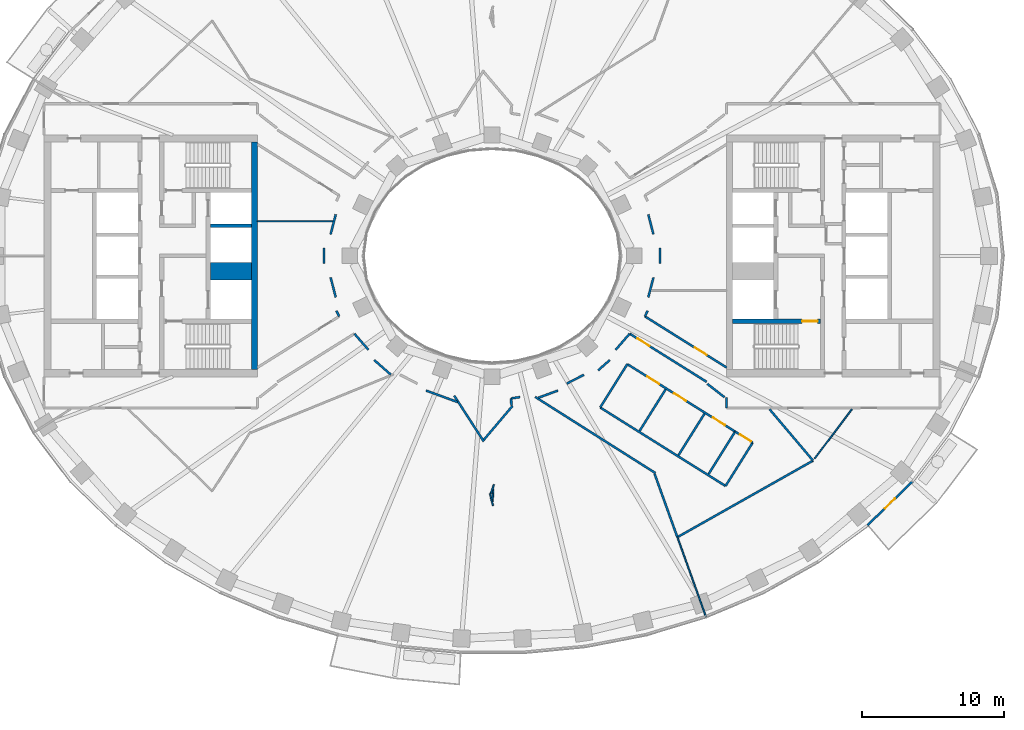
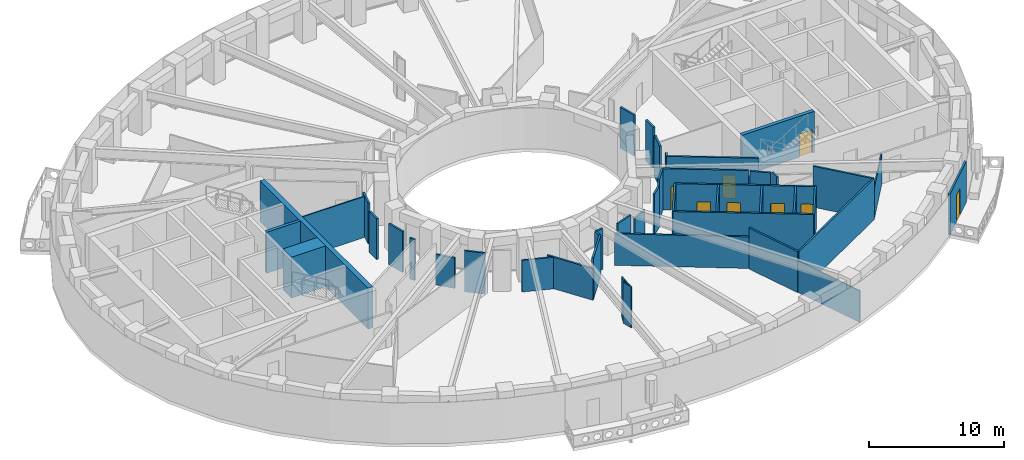
# One storey, part 4 of 16: 46 walls, 8 doors, 8 openings.
"""IFC4 building model written with IfcOpenShell, lengths in metres."""

from ifc_helpers import new_model, si_unit, direction, frame, frame_2d, origin, place, context, subcontext, project, spatial, rectangle, extrude, material, layer, layer_set, type_object, element, fill, save


model = new_model("IFC4")

# Units and contexts
model_context = context("Model", 3, precision=1e-05, world=origin(), true_north=direction((0.0, 1.0)))
body_context = subcontext(model_context, "Body", "Model", "MODEL_VIEW")
ifc_project = project(units=[si_unit("LENGTHUNIT", "METRE"), si_unit("AREAUNIT", "SQUARE_METRE"), si_unit("VOLUMEUNIT", "CUBIC_METRE"), si_unit("PLANEANGLEUNIT", "RADIAN"), si_unit("MASSUNIT", "GRAM", prefix="KILO")], contexts=[model_context])

# Site, building, storey
site_placement = place(None, origin())
site = spatial("IfcSite", under=ifc_project, at=site_placement, CompositionType="ELEMENT")
building_placement = place(site_placement, origin())
building = spatial("IfcBuilding", under=site, at=building_placement, Name="Noorbagh Ring Tower", CompositionType="ELEMENT")
storey_placement = place(building_placement, frame((0.0, 0.0, 166.0)))
storey = spatial("IfcBuildingStorey", under=building, at=storey_placement, Name="L38", CompositionType="ELEMENT", Elevation=166.0)

# Walls
ifc_material_1 = material(Name="Gypsum board on steel studs", Category="steel")
ifc_layer_1 = layer(ifc_material_1, 0.14990234375)
ifc_layer_set_1 = layer_set([ifc_layer_1], Name="Gypsum board on steel studs")
wall_type_1 = type_object("IfcWallType", Name="COMPARTMENT PARTITION 150 EI 60", PredefinedType="PARTITIONING", material=ifc_layer_set_1)
wall_1_placement = place(storey_placement, frame((15.22607421875, -15.341064453125, 0.0), z_axis=(0.0, 0.0, 1.0), x_axis=(0.530602850446, 0.847620560805, 0.0)))
element("IfcWall", 1, at=wall_1_placement, inside=storey, type_object=wall_type_1, Name="L38/wall/P77", PredefinedType="PARTITIONING", context=body_context, shape_type="SweptSolid", body=[
    extrude(rectangle(XDim=3.524169921875, YDim=0.14990234375, at=frame_2d((1.76220703125, 0.0))), origin(), (0.0, 0.0, 1.0), 3.699951171875),
])
wall_2_placement = place(storey_placement, frame((16.422119140625, -16.175048828125, 0.0), z_axis=(0.0, 0.0, 1.0), x_axis=(0.530578570881, 0.84763575911, 0.0)))
element("IfcWall", 2, at=wall_2_placement, inside=storey, type_object=wall_type_1, Name="L38/wall/P78", PredefinedType="PARTITIONING", context=body_context, shape_type="SweptSolid", body=[
    extrude(rectangle(XDim=3.595947265625, YDim=0.14990234375, at=frame_2d((1.7978515625, 0.0))), origin(), (0.0, 0.0, 1.0), 3.699951171875),
])

# Wall, opening, door
wall_3_placement = place(storey_placement, frame((17.095947265625, -12.35400390625, 0.0), z_axis=(0.0, 0.0, 1.0), x_axis=(0.847498728789, -0.530797423412, 0.0)))
wall_3 = element("IfcWall", 3, at=wall_3_placement, inside=storey, type_object=wall_type_1, Name="L38/wall/P83", PredefinedType="PARTITIONING", context=body_context, shape_type="SweptSolid", body=[
    extrude(rectangle(XDim=1.456298828125, YDim=0.14990234375, at=frame_2d((0.72802734375, 0.0))), origin(), (0.0, 0.0, 1.0), 3.699951171875),
])
opening_1_placement = place(wall_3_placement, frame((0.39990234375, 0.0, 0.0)))
opening_1 = element("IfcOpeningElement", 4, at=opening_1_placement, cuts=wall_3, Name="Opening D4", PredefinedType="OPENING", context=body_context, shape_type="SweptSolid", body=[
    extrude(rectangle(XDim=0.89990234375, YDim=2.10009765625, at=frame_2d((0.449951171875, 1.050048828125))), frame((0.0, 0.0849609375, 0.0), z_axis=(0.0, -1.0, 0.0), x_axis=(1.0, 0.0, 0.0)), (0.0, 0.0, 1.0), 0.169921875),
])
ifc_material_2 = material(Name="Timber, painted", Category="wood")
door_type_1 = type_object("IfcDoorType", Name="DOOR 900 X 2100 FD60", OperationType="SINGLE_SWING_LEFT", PredefinedType="DOOR", material=ifc_material_2)
door_1_placement = place(opening_1_placement, origin())
door_1 = element("IfcDoor", 5, at=door_1_placement, inside=storey, type_object=door_type_1, Name="L38-D05", OperationType="SINGLE_SWING_LEFT", OverallHeight=2.10009765625, OverallWidth=0.89990234375, PredefinedType="DOOR", context=body_context, shape_type="SweptSolid", body=[
    extrude(rectangle(XDim=0.89990234375, YDim=2.10009765625, at=frame_2d((0.449951171875, 1.050048828125))), frame((0.0, 0.02490234375, 0.0), z_axis=(0.0, -1.0, 0.0), x_axis=(1.0, 0.0, 0.0)), (0.0, 0.0, 1.0), 0.050048828125),
])
fill(opening_1, door_1)

# Walls
ifc_material_3 = material(Name="Concrete C60/75", Category="concrete")
ifc_layer_2 = layer(ifc_material_3, 1.25)
ifc_layer_set_2 = layer_set([ifc_layer_2], Name="Concrete C60/75")
wall_type_2 = type_object("IfcWallType", Name="CORE-WALL-1250-C60-75-EI120", PredefinedType="SHEAR", material=ifc_layer_set_2)
wall_4_placement = place(storey_placement, frame((-16.89990234375, -1.074951171875, 0.0), z_axis=(0.0, 0.0, 1.0), x_axis=(-1.0, 0.0, 0.0)))
element("IfcWall", 6, at=wall_4_placement, inside=storey, type_object=wall_type_2, Name="Core wall W", PredefinedType="SHEAR", context=body_context, shape_type="SweptSolid", body=[
    extrude(rectangle(XDim=2.900146484375, YDim=1.25, at=frame_2d((1.4501953125, 0.0))), origin(), (0.0, 0.0, 1.0), 3.699951171875),
])
ifc_material_4 = material(Name="Concrete C60/75", Category="concrete")
ifc_layer_3 = layer(ifc_material_4, 0.25)
ifc_layer_set_3 = layer_set([ifc_layer_3], Name="Concrete C60/75")
wall_type_3 = type_object("IfcWallType", Name="CORE-WALL-250-C60-75-EI120", PredefinedType="SHEAR", material=ifc_layer_set_3)
wall_5_placement = place(storey_placement, frame((-16.89990234375, 2.125, 0.0), z_axis=(0.0, 0.0, 1.0), x_axis=(-1.0, 0.0, 0.0)))
element("IfcWall", 7, at=wall_5_placement, inside=storey, type_object=wall_type_3, Name="Core wall W", PredefinedType="SHEAR", context=body_context, shape_type="SweptSolid", body=[
    extrude(rectangle(XDim=2.900146484375, YDim=0.25, at=frame_2d((1.4501953125, 0.0))), origin(), (0.0, 0.0, 1.0), 3.699951171875),
])

# Wall, opening, door
ifc_material_5 = material(Name="Concrete C60/75", Category="concrete")
ifc_layer_4 = layer(ifc_material_5, 0.300048828125)
ifc_layer_set_4 = layer_set([ifc_layer_4], Name="Concrete C60/75")
wall_type_4 = type_object("IfcWallType", Name="CORE-WALL-300-C60-75-EI240", PredefinedType="SHEAR", material=ifc_layer_set_4)
wall_6_placement = place(storey_placement, frame((16.89990234375, -4.60009765625, 0.0), z_axis=(0.0, 0.0, 1.0), x_axis=(1.0, 0.0, 0.0)))
wall_6 = element("IfcWall", 8, at=wall_6_placement, inside=storey, type_object=wall_type_4, Name="Core wall E", PredefinedType="SHEAR", context=body_context, shape_type="SweptSolid", body=[
    extrude(rectangle(XDim=6.18017578125, YDim=0.300048828125, at=frame_2d((3.090087890625, 0.0))), origin(), (0.0, 0.0, 1.0), 3.699951171875),
])
opening_2_placement = place(wall_6_placement, frame((4.89990234375, 0.0, 0.0)))
opening_2 = element("IfcOpeningElement", 9, at=opening_2_placement, cuts=wall_6, Name="Opening L38-CE08", PredefinedType="OPENING", context=body_context, shape_type="SweptSolid", body=[
    extrude(rectangle(XDim=1.10009765625, YDim=2.10009765625, at=frame_2d((0.550048828125, 1.050048828125))), frame((0.0, 0.16015625, 0.0), z_axis=(0.0, -1.0, 0.0), x_axis=(1.0, 0.0, 0.0)), (0.0, 0.0, 1.0), 0.320068359375),
])
ifc_material_6 = material(Name="Steel door leaf", Category="steel")
door_type_2 = type_object("IfcDoorType", Name="CORE-DOOR-DSTAIR", OperationType="SINGLE_SWING_LEFT", PredefinedType="DOOR", material=ifc_material_6)
door_2_placement = place(opening_2_placement, origin())
door_2 = element("IfcDoor", 10, at=door_2_placement, inside=storey, type_object=door_type_2, Name="Stair door ST4 L38-CE08", OperationType="SINGLE_SWING_RIGHT", OverallHeight=2.10009765625, OverallWidth=1.10009765625, PredefinedType="DOOR", context=body_context, shape_type="SweptSolid", body=[
    extrude(rectangle(XDim=1.10009765625, YDim=2.10009765625, at=frame_2d((0.550048828125, 1.050048828125))), frame((0.0, 0.02490234375, 0.0), z_axis=(0.0, -1.0, 0.0), x_axis=(1.0, 0.0, 0.0)), (0.0, 0.0, 1.0), 0.050048828125),
])
fill(opening_2, door_2)

# Walls
ifc_material_7 = material(Name="Concrete C60/75", Category="concrete")
ifc_layer_5 = layer(ifc_material_7, 0.39990234375)
ifc_layer_set_5 = layer_set([ifc_layer_5], Name="Concrete C60/75")
wall_type_5 = type_object("IfcWallType", Name="CORE-WALL-400-C60-75-EI240", PredefinedType="SHEAR", material=ifc_layer_set_5)
wall_7_placement = place(storey_placement, frame((-16.699951171875, -8.0, 0.0), z_axis=(0.0, 0.0, 1.0), x_axis=(0.0, 1.0, 0.0)))
element("IfcWall", 11, at=wall_7_placement, inside=storey, type_object=wall_type_5, Name="Core wall W", PredefinedType="SHEAR", context=body_context, shape_type="SweptSolid", body=[
    extrude(rectangle(XDim=16.0, YDim=0.39990234375, at=frame_2d((8.0, 0.0))), origin(), (0.0, 0.0, 1.0), 3.699951171875),
])
ifc_material_8 = material(Name="Gypsum board on steel studs", Category="steel")
ifc_layer_6 = layer(ifc_material_8, 0.14990234375)
ifc_layer_set_6 = layer_set([ifc_layer_6], Name="Gypsum board on steel studs")
wall_type_6 = type_object("IfcWallType", Name="CORRIDOR PARTITION 150 EI 30", PredefinedType="PARTITIONING", material=ifc_layer_set_6)
wall_8_placement = place(storey_placement, frame((-11.80810546875, -0.550048828125, 0.0), z_axis=(0.0, 0.0, 1.0), x_axis=(0.0, 1.0, 0.0)))
element("IfcWall", 12, at=wall_8_placement, inside=storey, type_object=wall_type_6, Name="L38/wall/P21", PredefinedType="PARTITIONING", context=body_context, shape_type="SweptSolid", body=[
    extrude(rectangle(XDim=1.10009765625, YDim=0.14990234375, at=frame_2d((0.550048828125, 0.0))), origin(), (0.0, 0.0, 1.0), 3.699951171875),
])
wall_9_placement = place(storey_placement, frame((-11.35107421875, 1.51611328125, 0.0), z_axis=(0.0, 0.0, 1.0), x_axis=(0.252153395539, 0.967687276509, 0.0)))
element("IfcWall", 13, at=wall_9_placement, inside=storey, type_object=wall_type_6, Name="L38/wall/P22", PredefinedType="PARTITIONING", context=body_context, shape_type="SweptSolid", body=[
    extrude(rectangle(XDim=1.443603515625, YDim=0.14990234375, at=frame_2d((0.7216796875, 0.0))), origin(), (0.0, 0.0, 1.0), 3.699951171875),
])
wall_10_placement = place(storey_placement, frame((-11.34912109375, -1.51806640625, 0.0), z_axis=(0.0, 0.0, 1.0), x_axis=(0.251214938505, -0.967931327457, 0.0)))
element("IfcWall", 14, at=wall_10_placement, inside=storey, type_object=wall_type_6, Name="L38/wall/P23", PredefinedType="PARTITIONING", context=body_context, shape_type="SweptSolid", body=[
    extrude(rectangle(XDim=1.441162109375, YDim=0.14990234375, at=frame_2d((0.720703125, 0.0))), origin(), (0.0, 0.0, 1.0), 3.699951171875),
])
wall_11_placement = place(storey_placement, frame((-10.93798828125, -3.863037109375, 0.0), z_axis=(0.0, 0.0, 1.0), x_axis=(0.429758433873, -0.90294390109, 0.0)))
element("IfcWall", 15, at=wall_11_placement, inside=storey, type_object=wall_type_6, Name="L38/wall/P24", PredefinedType="PARTITIONING", context=body_context, shape_type="SweptSolid", body=[
    extrude(rectangle(XDim=0.432861328125, YDim=0.14990234375, at=frame_2d((0.21630859375, 0.0))), origin(), (0.0, 0.0, 1.0), 3.699951171875),
])
wall_12_placement = place(storey_placement, frame((-9.678955078125, -5.468994140625, 0.0), z_axis=(0.0, 0.0, 1.0), x_axis=(0.656454677423, -0.75436546613, 0.0)))
element("IfcWall", 16, at=wall_12_placement, inside=storey, type_object=wall_type_6, Name="L38/wall/P26", PredefinedType="PARTITIONING", context=body_context, shape_type="SweptSolid", body=[
    extrude(rectangle(XDim=1.510986328125, YDim=0.14990234375, at=frame_2d((0.75537109375, 0.0))), origin(), (0.0, 0.0, 1.0), 2.75),
])
wall_13_placement = place(storey_placement, frame((-8.283935546875, -7.322021484375, 0.0), z_axis=(0.0, 0.0, 1.0), x_axis=(0.750666784408, -0.660680996235, 0.0)))
element("IfcWall", 17, at=wall_13_placement, inside=storey, type_object=wall_type_6, Name="L38/wall/P28", PredefinedType="PARTITIONING", context=body_context, shape_type="SweptSolid", body=[
    extrude(rectangle(XDim=1.5546875, YDim=0.14990234375, at=frame_2d((0.77734375, 0.0))), origin(), (0.0, 0.0, 1.0), 3.699951171875),
])
wall_14_placement = place(storey_placement, frame((-4.635986328125, -9.468017578125, 0.0), z_axis=(0.0, 0.0, 1.0), x_axis=(0.939059239116, -0.343755356949, 0.0)))
element("IfcWall", 18, at=wall_14_placement, inside=storey, type_object=wall_type_6, Name="L38/wall/P32", PredefinedType="PARTITIONING", context=body_context, shape_type="SweptSolid", body=[
    extrude(rectangle(XDim=2.3564453125, YDim=0.14990234375, at=frame_2d((1.17822265625, 0.0))), origin(), (0.0, 0.0, 1.0), 2.85009765625),
])
wall_15_placement = place(storey_placement, frame((-2.659912109375, -9.826904296875, 0.0), z_axis=(0.0, 0.0, 1.0), x_axis=(0.54249361556, -0.840059924694, 0.0)))
element("IfcWall", 19, at=wall_15_placement, inside=storey, type_object=wall_type_6, Name="L38/wall/P34", PredefinedType="PARTITIONING", context=body_context, shape_type="SweptSolid", body=[
    extrude(rectangle(XDim=3.835693359375, YDim=0.14990234375, at=frame_2d((1.91796875, 0.0))), origin(), (0.0, 0.0, 1.0), 2.85009765625),
])
wall_16_placement = place(storey_placement, frame((-0.571044921875, -12.923095703125, 0.0), z_axis=(0.0, 0.0, 1.0), x_axis=(0.646508532989, 0.762906754966, 0.0)))
element("IfcWall", 20, at=wall_16_placement, inside=storey, type_object=wall_type_6, Name="L38/wall/P36", PredefinedType="PARTITIONING", context=body_context, shape_type="SweptSolid", body=[
    extrude(rectangle(XDim=3.110595703125, YDim=0.14990234375, at=frame_2d((1.55517578125, 0.0))), origin(), (0.0, 0.0, 1.0), 3.699951171875),
])
wall_17_placement = place(storey_placement, frame((1.340087890625, -10.02197265625, 0.0), z_axis=(0.0, 0.0, 1.0), x_axis=(0.047890193459, -0.998852606429, 0.0)))
element("IfcWall", 21, at=wall_17_placement, inside=storey, type_object=wall_type_6, Name="L38/wall/P44", PredefinedType="PARTITIONING", context=body_context, shape_type="SweptSolid", body=[
    extrude(rectangle(XDim=0.49951171875, YDim=0.14990234375, at=frame_2d((0.249755859375, 0.0))), origin(), (0.0, 0.0, 1.0), 3.699951171875),
])
wall_18_placement = place(storey_placement, frame((1.340087890625, -10.02197265625, 0.0), z_axis=(0.0, 0.0, 1.0), x_axis=(0.988526694698, 0.151046264003, 0.0)))
element("IfcWall", 22, at=wall_18_placement, inside=storey, type_object=wall_type_6, Name="L38/wall/P45", PredefinedType="PARTITIONING", context=body_context, shape_type="SweptSolid", body=[
    extrude(rectangle(XDim=0.63525390625, YDim=0.14990234375, at=frame_2d((0.317626953125, 0.0))), origin(), (0.0, 0.0, 1.0), 3.699951171875),
])
wall_19_placement = place(storey_placement, frame((3.035888671875, -9.9150390625, 0.0), z_axis=(0.0, 0.0, 1.0), x_axis=(0.844814664865, -0.535059045367, 0.0)))
element("IfcWall", 23, at=wall_19_placement, inside=storey, type_object=wall_type_6, Name="L38/wall/P48", PredefinedType="PARTITIONING", context=body_context, shape_type="SweptSolid", body=[
    extrude(rectangle(XDim=10.00830078125, YDim=0.14990234375, at=frame_2d((5.004150390625, 0.0))), origin(), (0.0, 0.0, 1.0), 2.85009765625),
])
wall_20_placement = place(storey_placement, frame((3.2451171875, -9.97705078125, 0.0), z_axis=(0.0, 0.0, 1.0), x_axis=(0.939083928338, 0.343687904263, 0.0)))
element("IfcWall", 24, at=wall_20_placement, inside=storey, type_object=wall_type_6, Name="L38/wall/P50", PredefinedType="PARTITIONING", context=body_context, shape_type="SweptSolid", body=[
    extrude(rectangle(XDim=1.481201171875, YDim=0.14990234375, at=frame_2d((0.74072265625, 0.0))), origin(), (0.0, 0.0, 1.0), 3.699951171875),
])
wall_21_placement = place(storey_placement, frame((5.260986328125, -8.97509765625, 0.0), z_axis=(0.0, 0.0, 1.0), x_axis=(0.889472002788, 0.456989667559, 0.0)))
element("IfcWall", 25, at=wall_21_placement, inside=storey, type_object=wall_type_6, Name="L38/wall/P52", PredefinedType="PARTITIONING", context=body_context, shape_type="SweptSolid", body=[
    extrude(rectangle(XDim=1.354736328125, YDim=0.14990234375, at=frame_2d((0.67724609375, 0.0))), origin(), (0.0, 0.0, 1.0), 2.85009765625),
])
wall_22_placement = place(storey_placement, frame((7.4580078125, -8.049072265625, 0.0), z_axis=(0.0, 0.0, 1.0), x_axis=(0.75060787095, 0.660747927782, 0.0)))
element("IfcWall", 26, at=wall_22_placement, inside=storey, type_object=wall_type_6, Name="L38/wall/P54", PredefinedType="PARTITIONING", context=body_context, shape_type="SweptSolid", body=[
    extrude(rectangle(XDim=1.100341796875, YDim=0.14990234375, at=frame_2d((0.55029296875, 0.0))), origin(), (0.0, 0.0, 1.0), 3.699951171875),
])
wall_23_placement = place(storey_placement, frame((7.60498046875, -10.658935546875, 0.0), z_axis=(0.0, 0.0, 1.0), x_axis=(0.530602380468, 0.847620855006, 0.0)))
element("IfcWall", 27, at=wall_23_placement, inside=storey, type_object=wall_type_6, Name="L38/wall/P56", PredefinedType="PARTITIONING", context=body_context, shape_type="SweptSolid", body=[
    extrude(rectangle(XDim=3.599609375, YDim=0.14990234375, at=frame_2d((1.7998046875, 0.0))), origin(), (0.0, 0.0, 1.0), 3.699951171875),
])
wall_24_placement = place(storey_placement, frame((7.60791015625, -10.660888671875, 0.0), z_axis=(0.0, 0.0, 1.0), x_axis=(0.847562482532, -0.530695617284, 0.0)))
element("IfcWall", 28, at=wall_24_placement, inside=storey, type_object=wall_type_6, Name="L38/wall/P57", PredefinedType="PARTITIONING", context=body_context, shape_type="SweptSolid", body=[
    extrude(rectangle(XDim=10.392333984375, YDim=0.14990234375, at=frame_2d((5.1962890625, 0.0))), origin(), (0.0, 0.0, 1.0), 3.699951171875),
])
wall_25_placement = place(storey_placement, frame((8.68701171875, -6.60888671875, 0.0), z_axis=(0.0, 0.0, 1.0), x_axis=(0.656454677423, 0.75436546613, 0.0)))
element("IfcWall", 29, at=wall_25_placement, inside=storey, type_object=wall_type_6, Name="L38/wall/P58", PredefinedType="PARTITIONING", context=body_context, shape_type="SweptSolid", body=[
    extrude(rectangle(XDim=1.510986328125, YDim=0.14990234375, at=frame_2d((0.75537109375, 0.0))), origin(), (0.0, 0.0, 1.0), 3.699951171875),
])

# Wall, openings, doors
wall_26_placement = place(storey_placement, frame((9.513916015625, -7.610107421875, 0.0), z_axis=(0.0, 0.0, 1.0), x_axis=(0.847740567707, -0.530411095155, 0.0)))
wall_26 = element("IfcWall", 30, at=wall_26_placement, inside=storey, type_object=wall_type_6, Name="L38/wall/P60", PredefinedType="PARTITIONING", context=body_context, shape_type="SweptSolid", body=[
    extrude(rectangle(XDim=8.94384765625, YDim=0.14990234375, at=frame_2d((4.471923828125, 0.0))), origin(), (0.0, 0.0, 1.0), 3.699951171875),
])
opening_3_placement = place(wall_26_placement, frame((1.64990234375, 0.0, 0.0)))
opening_3 = element("IfcOpeningElement", 31, at=opening_3_placement, cuts=wall_26, Name="Opening D3", PredefinedType="OPENING", context=body_context, shape_type="SweptSolid", body=[
    extrude(rectangle(XDim=1.0, YDim=2.10009765625, at=frame_2d((0.5, 1.050048828125))), frame((0.0, 0.0849609375, 0.0), z_axis=(0.0, -1.0, 0.0), x_axis=(1.0, 0.0, 0.0)), (0.0, 0.0, 1.0), 0.169921875),
])
opening_4_placement = place(wall_26_placement, frame((3.874267578125, 0.0, 0.0)))
opening_4 = element("IfcOpeningElement", 32, at=opening_4_placement, cuts=wall_26, Name="Opening D3", PredefinedType="OPENING", context=body_context, shape_type="SweptSolid", body=[
    extrude(rectangle(XDim=1.0, YDim=2.10009765625, at=frame_2d((0.5, 1.050048828125))), frame((0.0, 0.0849609375, 0.0), z_axis=(0.0, -1.0, 0.0), x_axis=(1.0, 0.0, 0.0)), (0.0, 0.0, 1.0), 0.169921875),
])
opening_5_placement = place(wall_26_placement, frame((7.097900390625, 0.0, 0.0)))
opening_5 = element("IfcOpeningElement", 33, at=opening_5_placement, cuts=wall_26, Name="Opening D3", PredefinedType="OPENING", context=body_context, shape_type="SweptSolid", body=[
    extrude(rectangle(XDim=1.0, YDim=2.10009765625, at=frame_2d((0.5, 1.050048828125))), frame((0.0, 0.0849609375, 0.0), z_axis=(0.0, -1.0, 0.0), x_axis=(1.0, 0.0, 0.0)), (0.0, 0.0, 1.0), 0.169921875),
])
ifc_material_9 = material(Name="Timber, painted", Category="wood")
door_type_3 = type_object("IfcDoorType", Name="DOOR 1000 X 2100 WC", OperationType="SINGLE_SWING_LEFT", PredefinedType="DOOR", material=ifc_material_9)
door_3_placement = place(opening_3_placement, origin())
door_3 = element("IfcDoor", 34, at=door_3_placement, inside=storey, type_object=door_type_3, Name="L38-D02", OperationType="SINGLE_SWING_RIGHT", OverallHeight=2.10009765625, OverallWidth=1.0, PredefinedType="DOOR", context=body_context, shape_type="SweptSolid", body=[
    extrude(rectangle(XDim=1.0, YDim=2.10009765625, at=frame_2d((0.5, 1.050048828125))), frame((0.0, 0.02490234375, 0.0), z_axis=(0.0, -1.0, 0.0), x_axis=(1.0, 0.0, 0.0)), (0.0, 0.0, 1.0), 0.050048828125),
])
fill(opening_3, door_3)
door_4_placement = place(opening_4_placement, origin())
door_4 = element("IfcDoor", 35, at=door_4_placement, inside=storey, type_object=door_type_3, Name="L38-D03", OperationType="SINGLE_SWING_LEFT", OverallHeight=2.10009765625, OverallWidth=1.0, PredefinedType="DOOR", context=body_context, shape_type="SweptSolid", body=[
    extrude(rectangle(XDim=1.0, YDim=2.10009765625, at=frame_2d((0.5, 1.050048828125))), frame((0.0, 0.02490234375, 0.0), z_axis=(0.0, -1.0, 0.0), x_axis=(1.0, 0.0, 0.0)), (0.0, 0.0, 1.0), 0.050048828125),
])
fill(opening_4, door_4)
door_5_placement = place(opening_5_placement, origin())
door_5 = element("IfcDoor", 36, at=door_5_placement, inside=storey, type_object=door_type_3, Name="L38-D04", OperationType="SINGLE_SWING_RIGHT", OverallHeight=2.10009765625, OverallWidth=1.0, PredefinedType="DOOR", context=body_context, shape_type="SweptSolid", body=[
    extrude(rectangle(XDim=1.0, YDim=2.10009765625, at=frame_2d((0.5, 1.050048828125))), frame((0.0, 0.02490234375, 0.0), z_axis=(0.0, -1.0, 0.0), x_axis=(1.0, 0.0, 0.0)), (0.0, 0.0, 1.0), 0.050048828125),
])
fill(opening_5, door_5)

# Wall, opening, door
wall_27_placement = place(storey_placement, frame((9.678955078125, -5.468994140625, 0.0), z_axis=(0.0, 0.0, 1.0), x_axis=(0.847602682855, -0.530631408811, 0.0)))
wall_27 = element("IfcWall", 37, at=wall_27_placement, inside=storey, type_object=wall_type_6, Name="L38/wall/P61", PredefinedType="PARTITIONING", context=body_context, shape_type="SweptSolid", body=[
    extrude(rectangle(XDim=6.3828125, YDim=0.14990234375, at=frame_2d((3.19140625, 0.0))), origin(), (0.0, 0.0, 1.0), 3.699951171875),
])
opening_6_placement = place(wall_27_placement, frame((0.64990234375, 0.0, 0.0)))
opening_6 = element("IfcOpeningElement", 38, at=opening_6_placement, cuts=wall_27, Name="Opening D1", PredefinedType="OPENING", context=body_context, shape_type="SweptSolid", body=[
    extrude(rectangle(XDim=1.0, YDim=2.10009765625, at=frame_2d((0.5, 1.050048828125))), frame((0.0, 0.0849609375, 0.0), z_axis=(0.0, -1.0, 0.0), x_axis=(1.0, 0.0, 0.0)), (0.0, 0.0, 1.0), 0.169921875),
])
ifc_material_10 = material(Name="Timber, painted", Category="wood")
door_type_4 = type_object("IfcDoorType", Name="DOOR 1000 X 2100 FD30", OperationType="SINGLE_SWING_LEFT", PredefinedType="DOOR", material=ifc_material_10)
door_6_placement = place(opening_6_placement, origin())
door_6 = element("IfcDoor", 39, at=door_6_placement, inside=storey, type_object=door_type_4, Name="L38-D01", OperationType="SINGLE_SWING_LEFT", OverallHeight=2.10009765625, OverallWidth=1.0, PredefinedType="DOOR", context=body_context, shape_type="SweptSolid", body=[
    extrude(rectangle(XDim=1.0, YDim=2.10009765625, at=frame_2d((0.5, 1.050048828125))), frame((0.0, 0.02490234375, 0.0), z_axis=(0.0, -1.0, 0.0), x_axis=(1.0, 0.0, 0.0)), (0.0, 0.0, 1.0), 0.050048828125),
])
fill(opening_6, door_6)

# Walls
wall_28_placement = place(storey_placement, frame((10.376953125, -12.305908203125, 0.0), z_axis=(0.0, 0.0, 1.0), x_axis=(0.530889428354, 0.847441098167, 0.0)))
element("IfcWall", 40, at=wall_28_placement, inside=storey, type_object=wall_type_6, Name="L38/wall/P63", PredefinedType="PARTITIONING", context=body_context, shape_type="SweptSolid", body=[
    extrude(rectangle(XDim=3.448974609375, YDim=0.14990234375, at=frame_2d((1.724609375, 0.0))), origin(), (0.0, 0.0, 1.0), 3.699951171875),
])
wall_29_placement = place(storey_placement, frame((10.751953125, -4.25390625, 0.0), z_axis=(0.0, 0.0, 1.0), x_axis=(0.429758433873, 0.90294390109, 0.0)))
element("IfcWall", 41, at=wall_29_placement, inside=storey, type_object=wall_type_6, Name="L38/wall/P64", PredefinedType="PARTITIONING", context=body_context, shape_type="SweptSolid", body=[
    extrude(rectangle(XDim=0.432861328125, YDim=0.14990234375, at=frame_2d((0.21630859375, 0.0))), origin(), (0.0, 0.0, 1.0), 3.699951171875),
])

# Wall, opening, door
wall_30_placement = place(storey_placement, frame((10.751953125, -4.25390625, 0.0), z_axis=(0.0, 0.0, 1.0), x_axis=(0.847690706888, -0.530490777917, 0.0)))
wall_30 = element("IfcWall", 42, at=wall_30_placement, inside=storey, type_object=wall_type_6, Name="L38/wall/P65", PredefinedType="PARTITIONING", context=body_context, shape_type="SweptSolid", body=[
    extrude(rectangle(XDim=6.78076171875, YDim=0.14990234375, at=frame_2d((3.390380859375, 0.0))), origin(), (0.0, 0.0, 1.0), 3.699951171875),
])
opening_7_placement = place(wall_30_placement, frame((4.12939453125, 0.0, 0.0)))
opening_7 = element("IfcOpeningElement", 43, at=opening_7_placement, cuts=wall_30, Name="Opening D1", PredefinedType="OPENING", context=body_context, shape_type="SweptSolid", body=[
    extrude(rectangle(XDim=1.0, YDim=2.10009765625, at=frame_2d((0.5, 1.050048828125))), frame((0.0, 0.0849609375, 0.0), z_axis=(0.0, -1.0, 0.0), x_axis=(1.0, 0.0, 0.0)), (0.0, 0.0, 1.0), 0.169921875),
])
door_7_placement = place(opening_7_placement, origin())
door_7 = element("IfcDoor", 44, at=door_7_placement, inside=storey, type_object=door_type_4, Name="L38-D19", OperationType="SINGLE_SWING_LEFT", OverallHeight=2.10009765625, OverallWidth=1.0, PredefinedType="DOOR", context=body_context, shape_type="SweptSolid", body=[
    extrude(rectangle(XDim=1.0, YDim=2.10009765625, at=frame_2d((0.5, 1.050048828125))), frame((0.0, 0.02490234375, 0.0), z_axis=(0.0, -1.0, 0.0), x_axis=(1.0, 0.0, 0.0)), (0.0, 0.0, 1.0), 0.050048828125),
])
fill(opening_7, door_7)

# Walls
wall_31_placement = place(storey_placement, frame((10.987060546875, -2.9130859375, 0.0), z_axis=(0.0, 0.0, 1.0), x_axis=(0.252153395539, 0.967687276509, 0.0)))
element("IfcWall", 45, at=wall_31_placement, inside=storey, type_object=wall_type_6, Name="L38/wall/P68", PredefinedType="PARTITIONING", context=body_context, shape_type="SweptSolid", body=[
    extrude(rectangle(XDim=1.443603515625, YDim=0.14990234375, at=frame_2d((0.7216796875, 0.0))), origin(), (0.0, 0.0, 1.0), 3.699951171875),
])
wall_32_placement = place(storey_placement, frame((10.987060546875, 2.9130859375, 0.0), z_axis=(0.0, 0.0, 1.0), x_axis=(0.251214938505, -0.967931327457, 0.0)))
element("IfcWall", 46, at=wall_32_placement, inside=storey, type_object=wall_type_6, Name="L38/wall/P69", PredefinedType="PARTITIONING", context=body_context, shape_type="SweptSolid", body=[
    extrude(rectangle(XDim=1.441162109375, YDim=0.14990234375, at=frame_2d((0.720703125, 0.0))), origin(), (0.0, 0.0, 1.0), 3.699951171875),
])
wall_33_placement = place(storey_placement, frame((11.428955078125, -15.320068359375, 0.0), z_axis=(0.0, 0.0, 1.0), x_axis=(0.338520464006, -0.940959029634, 0.0)))
element("IfcWall", 47, at=wall_33_placement, inside=storey, type_object=wall_type_6, Name="L38/wall/P71", PredefinedType="PARTITIONING", context=body_context, shape_type="SweptSolid", body=[
    extrude(rectangle(XDim=4.7353515625, YDim=0.14990234375, at=frame_2d((2.36767578125, 0.0))), origin(), (0.0, 0.0, 1.0), 3.699951171875),
])
wall_34_placement = place(storey_placement, frame((11.80810546875, -0.550048828125, 0.0), z_axis=(0.0, 0.0, 1.0), x_axis=(0.0, 1.0, 0.0)))
element("IfcWall", 48, at=wall_34_placement, inside=storey, type_object=wall_type_6, Name="L38/wall/P73", PredefinedType="PARTITIONING", context=body_context, shape_type="SweptSolid", body=[
    extrude(rectangle(XDim=1.10009765625, YDim=0.14990234375, at=frame_2d((0.550048828125, 0.0))), origin(), (0.0, 0.0, 1.0), 3.699951171875),
])
wall_35_placement = place(storey_placement, frame((13.033935546875, -19.779052734375, 0.0), z_axis=(0.0, 0.0, 1.0), x_axis=(0.870903388322, 0.491454258512, 0.0)))
element("IfcWall", 49, at=wall_35_placement, inside=storey, type_object=wall_type_6, Name="L38/wall/P75", PredefinedType="PARTITIONING", context=body_context, shape_type="SweptSolid", body=[
    extrude(rectangle(XDim=10.955322265625, YDim=0.14990234375, at=frame_2d((5.4775390625, 0.0))), origin(), (0.0, 0.0, 1.0), 3.699951171875),
])
wall_36_placement = place(storey_placement, frame((13.110107421875, -14.01708984375, 0.0), z_axis=(0.0, 0.0, 1.0), x_axis=(0.530603340991, 0.847620253727, 0.0)))
element("IfcWall", 50, at=wall_36_placement, inside=storey, type_object=wall_type_6, Name="L38/wall/P76", PredefinedType="PARTITIONING", context=body_context, shape_type="SweptSolid", body=[
    extrude(rectangle(XDim=3.448486328125, YDim=0.14990234375, at=frame_2d((1.72412109375, 0.0))), origin(), (0.0, 0.0, 1.0), 3.699951171875),
])
wall_37_placement = place(storey_placement, frame((16.5, -10.699951171875, 0.0), z_axis=(0.0, 0.0, 1.0), x_axis=(0.0, 1.0, 0.0)))
element("IfcWall", 51, at=wall_37_placement, inside=storey, type_object=wall_type_6, Name="L38/wall/P79", PredefinedType="PARTITIONING", context=body_context, shape_type="SweptSolid", body=[
    extrude(rectangle(XDim=0.73583984375, YDim=0.14990234375, at=frame_2d((0.367919921875, 0.0))), origin(), (0.0, 0.0, 1.0), 3.699951171875),
])
wall_38_placement = place(storey_placement, frame((19.510986328125, -10.778076171875, 0.0), z_axis=(0.0, 0.0, 1.0), x_axis=(0.646369264436, -0.763024753197, 0.0)))
element("IfcWall", 52, at=wall_38_placement, inside=storey, type_object=wall_type_6, Name="L38/wall/P84", PredefinedType="PARTITIONING", context=body_context, shape_type="SweptSolid", body=[
    extrude(rectangle(XDim=4.740234375, YDim=0.14990234375, at=frame_2d((2.3701171875, 0.0))), origin(), (0.0, 0.0, 1.0), 3.699951171875),
])
wall_39_placement = place(storey_placement, frame((16.35205078125, -9.94189453125, 0.0), z_axis=(0.0, 0.0, 1.0), x_axis=(-0.788950226826, 0.614457109643, 0.0)))
element("IfcWall", 53, at=wall_39_placement, inside=storey, type_object=wall_type_6, Name="L38/wall/P93", PredefinedType="PARTITIONING", context=body_context, shape_type="SweptSolid", body=[
    extrude(rectangle(XDim=1.53759765625, YDim=0.14990234375, at=frame_2d((0.768798828125, 0.0))), origin(), (0.0, 0.0, 1.0), 3.699951171875),
])

# Wall, opening, door
ifc_material_11 = material(Name="Insulated aluminium clad panel", Category="aluminium")
ifc_layer_7 = layer(ifc_material_11, 0.14990234375)
ifc_layer_set_7 = layer_set([ifc_layer_7], Name="Insulated aluminium clad panel")
wall_type_7 = type_object("IfcWallType", Name="ENV-WALL-DOOR", PredefinedType="STANDARD", material=ifc_layer_set_7)
wall_40_placement = place(storey_placement, frame((26.396484375, -18.943359375, 0.0), z_axis=(0.0, 0.0, 1.0), x_axis=(0.717214761864, 0.696852197647, 0.0)))
wall_40 = element("IfcWall", 54, at=wall_40_placement, inside=storey, type_object=wall_type_7, Name="Balcony door wall chord 42", PredefinedType="STANDARD", context=body_context, shape_type="SweptSolid", body=[
    extrude(rectangle(XDim=4.424072265625, YDim=0.14990234375, at=frame_2d((2.2119140625, 0.0))), origin(), (0.0, 0.0, 1.0), 3.699951171875),
])
opening_8_placement = place(wall_40_placement, frame((1.712158203125, 0.0, 0.0)))
opening_8 = element("IfcOpeningElement", 55, at=opening_8_placement, cuts=wall_40, Name="Opening D-BL", PredefinedType="OPENING", context=body_context, shape_type="SweptSolid", body=[
    extrude(rectangle(XDim=1.0, YDim=2.39990234375, at=frame_2d((0.5, 1.199951171875))), frame((0.0, 0.0849609375, 0.0), z_axis=(0.0, -1.0, 0.0), x_axis=(1.0, 0.0, 0.0)), (0.0, 0.0, 1.0), 0.169921875),
])
ifc_material_12 = material(Name="Aluminium and glass", Category="aluminium")
door_type_5 = type_object("IfcDoorType", Name="ENV-DOOR-BALCONY", OperationType="SINGLE_SWING_LEFT", PredefinedType="DOOR", material=ifc_material_12)
door_8_placement = place(opening_8_placement, origin())
door_8 = element("IfcDoor", 56, at=door_8_placement, inside=storey, type_object=door_type_5, Name="Balcony door chord 42", OperationType="SINGLE_SWING_LEFT", OverallHeight=2.39990234375, OverallWidth=1.0, PredefinedType="DOOR", context=body_context, shape_type="SweptSolid", body=[
    extrude(rectangle(XDim=1.0, YDim=2.39990234375, at=frame_2d((0.5, 1.199951171875))), frame((0.0, 0.02490234375, 0.0), z_axis=(0.0, -1.0, 0.0), x_axis=(1.0, 0.0, 0.0)), (0.0, 0.0, 1.0), 0.050048828125),
])
fill(opening_8, door_8)

# Walls
ifc_material_13 = material(Name="Gypsum board on steel studs", Category="steel")
ifc_layer_8 = layer(ifc_material_13, 0.10009765625)
ifc_layer_set_8 = layer_set([ifc_layer_8], Name="Gypsum board on steel studs")
wall_type_8 = type_object("IfcWallType", Name="PARTITION 100 GYPSUM", PredefinedType="PARTITIONING", material=ifc_layer_set_8)
wall_41_placement = place(storey_placement, frame((-16.5, 2.43994140625, 0.0), z_axis=(0.0, 0.0, 1.0), x_axis=(1.0, 0.0, 0.0)))
element("IfcWall", 57, at=wall_41_placement, inside=storey, type_object=wall_type_8, Name="L38/wall/P15", PredefinedType="PARTITIONING", context=body_context, shape_type="SweptSolid", body=[
    extrude(rectangle(XDim=5.306884765625, YDim=0.10009765625, at=frame_2d((2.6533203125, 0.0))), origin(), (0.0, 0.0, 1.0), 3.699951171875),
])
wall_42_placement = place(storey_placement, frame((-0.14306640625, -16.715087890625, 0.0), z_axis=(0.0, 0.0, 1.0), x_axis=(0.239035325833, -0.971010871723, 0.0)))
element("IfcWall", 58, at=wall_42_placement, inside=storey, type_object=wall_type_8, Name="L38/wall/P38", PredefinedType="PARTITIONING", context=body_context, shape_type="SweptSolid", body=[
    extrude(rectangle(XDim=0.8701171875, YDim=0.10009765625, at=frame_2d((0.43505859375, 0.0))), origin(), (0.0, 0.0, 1.0), 3.699951171875),
])
wall_43_placement = place(storey_placement, frame((-0.090087890625, -16.717041015625, 0.0), z_axis=(0.0, 0.0, 1.0), x_axis=(0.337600885579, 0.941289350867, 0.0)))
element("IfcWall", 59, at=wall_43_placement, inside=storey, type_object=wall_type_8, Name="L38/wall/P39", PredefinedType="PARTITIONING", context=body_context, shape_type="SweptSolid", body=[
    extrude(rectangle(XDim=0.672607421875, YDim=0.10009765625, at=frame_2d((0.33642578125, 0.0))), origin(), (0.0, 0.0, 1.0), 3.699951171875),
])
wall_44_placement = place(storey_placement, frame((0.0400390625, -17.278076171875, 0.0), z_axis=(0.0, 0.0, 1.0), x_axis=(0.047868385867, 0.99885365176, 0.0)))
element("IfcWall", 60, at=wall_44_placement, inside=storey, type_object=wall_type_8, Name="L38/wall/P42", PredefinedType="PARTITIONING", context=body_context, shape_type="SweptSolid", body=[
    extrude(rectangle(XDim=0.91796875, YDim=0.10009765625, at=frame_2d((0.458984375, 0.0))), origin(), (0.0, 0.0, 1.0), 3.699951171875),
])
wall_45_placement = place(storey_placement, frame((13.031982421875, -19.77587890625, 0.0), z_axis=(0.0, 0.0, 1.0), x_axis=(0.338352371411, -0.941019485856, 0.0)))
element("IfcWall", 61, at=wall_45_placement, inside=storey, type_object=wall_type_8, Name="L38/wall/P74", PredefinedType="PARTITIONING", context=body_context, shape_type="SweptSolid", body=[
    extrude(rectangle(XDim=5.958740234375, YDim=0.10009765625, at=frame_2d((2.9794921875, 0.0))), origin(), (0.0, 0.0, 1.0), 2.85009765625),
])
wall_46_placement = place(storey_placement, frame((22.68798828125, -14.2451171875, 0.0), z_axis=(0.0, 0.0, 1.0), x_axis=(0.6020222506, 0.798479310804, 0.0)))
element("IfcWall", 62, at=wall_46_placement, inside=storey, type_object=wall_type_8, Name="L38/wall/P86", PredefinedType="PARTITIONING", context=body_context, shape_type="SweptSolid", body=[
    extrude(rectangle(XDim=4.342041015625, YDim=0.10009765625, at=frame_2d((2.1708984375, 0.0))), origin(), (0.0, 0.0, 1.0), 2.75),
])

save(model, "model.ifc")
